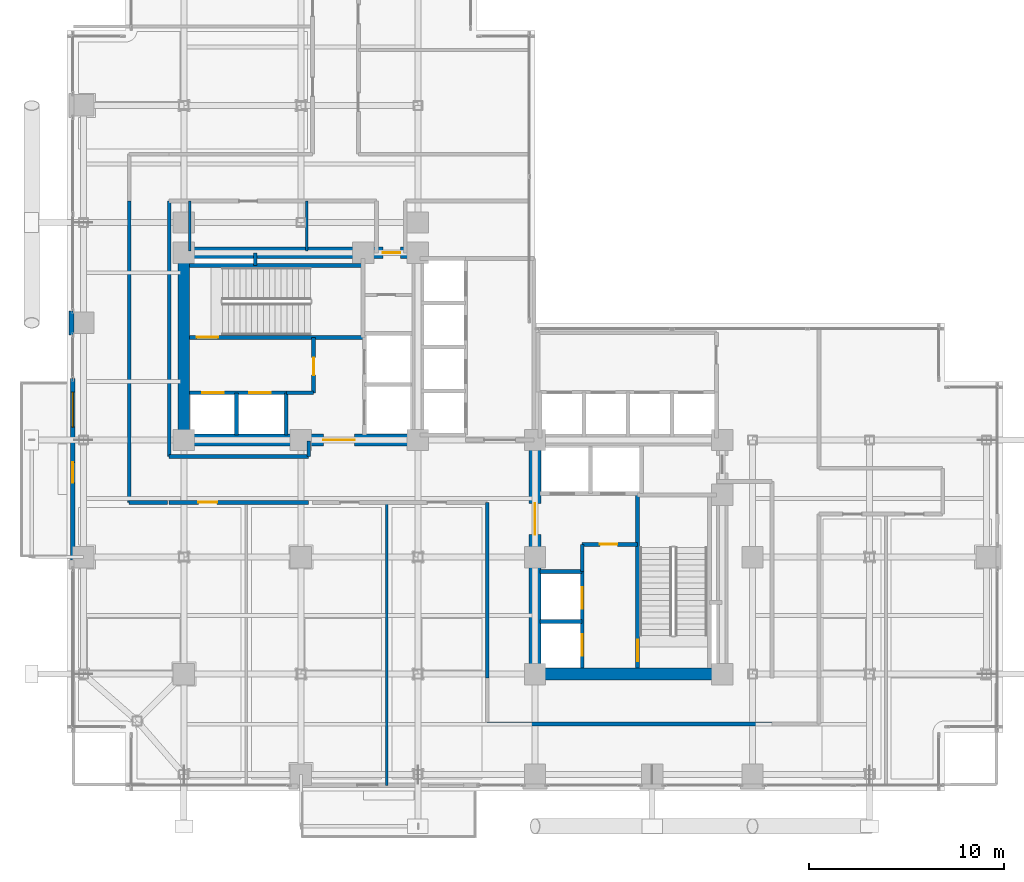
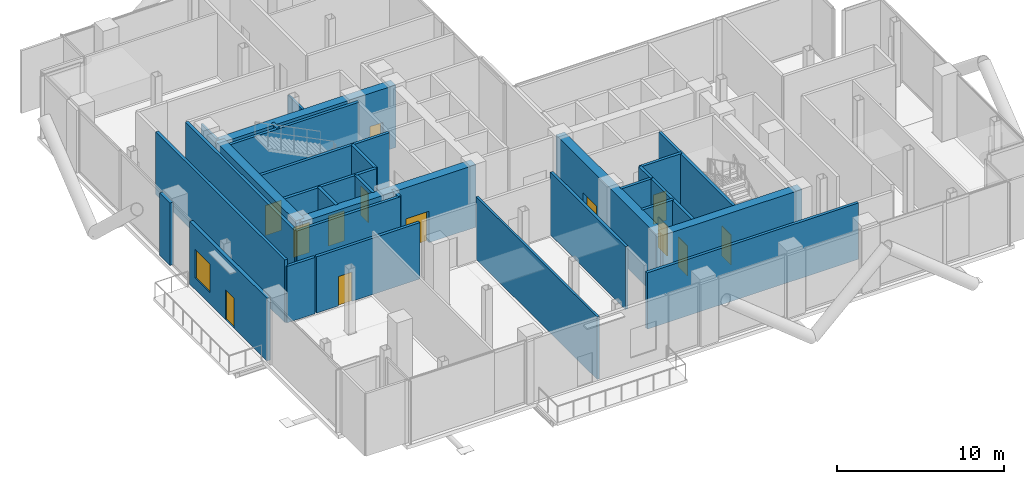
# One storey, part 18 of 25: 32 walls, 13 doors, 1 window, 14 openings.
"""IFC4 building model written with IfcOpenShell, lengths in metres."""

from ifc_helpers import new_model, si_unit, direction, frame, frame_2d, origin, place, context, subcontext, project, spatial, rectangle, extrude, material, layer, layer_set, type_object, element, fill, save


model = new_model("IFC4")

# Units and contexts
model_context = context("Model", 3, precision=1e-05, world=origin(), true_north=direction((0.0, 1.0)))
body_context = subcontext(model_context, "Body", "Model", "MODEL_VIEW")
ifc_project = project(units=[si_unit("LENGTHUNIT", "METRE"), si_unit("AREAUNIT", "SQUARE_METRE"), si_unit("VOLUMEUNIT", "CUBIC_METRE"), si_unit("PLANEANGLEUNIT", "RADIAN"), si_unit("MASSUNIT", "GRAM", prefix="KILO"), si_unit("THERMODYNAMICTEMPERATUREUNIT", "KELVIN"), si_unit("POWERUNIT", "WATT")], contexts=[model_context])

# Site, building, storey
site_placement = place(None, origin())
site = spatial("IfcSite", under=ifc_project, at=site_placement, CompositionType="ELEMENT")
building_placement = place(site_placement, origin())
building = spatial("IfcBuilding", under=site, at=building_placement, Name="Svarakhadi Broadcast Tower", CompositionType="ELEMENT")
storey_placement = place(building_placement, frame((0.0, 0.0, 110.85009765625)))
storey = spatial("IfcBuildingStorey", under=building, at=storey_placement, Name="L26", CompositionType="ELEMENT", Elevation=110.85009765625)

# Walls
ifc_material_1 = material(Name="Double-Stud Acoustic Studio Partition STC-62", Category="gypsum")
ifc_layer_1 = layer(ifc_material_1, 0.199951171875)
ifc_layer_set_1 = layer_set([ifc_layer_1], Name="Double-Stud Acoustic Studio Partition STC-62")
wall_type_1 = type_object("IfcWallType", Name="Wall_Acoust_200", PredefinedType="PARTITIONING", material=ifc_layer_set_1)
wall_1_placement = place(storey_placement, frame((36.14990234375, 3.449951171875, 0.0), z_axis=(0.0, 0.0, 1.0), x_axis=(-1.0, 0.0, 0.0)))
element("IfcWall", 1, at=wall_1_placement, inside=storey, type_object=wall_type_1, Name="L26 Broadcast Corridor Wall", PredefinedType="PARTITIONING", context=body_context, shape_type="SweptSolid", body=[
    extrude(rectangle(XDim=14.599853515625, YDim=0.199951171875, at=frame_2d((7.2998046875, 0.0))), origin(), (0.0, 0.0, 1.0), 4.116943359375),
])
wall_2_placement = place(storey_placement, frame((21.550048828125, 5.800048828125, 0.0), z_axis=(0.0, 0.0, 1.0), x_axis=(0.0, 1.0, 0.0)))
element("IfcWall", 2, at=wall_2_placement, inside=storey, type_object=wall_type_1, Name="L26 Broadcast Corridor Wall", PredefinedType="PARTITIONING", context=body_context, shape_type="SweptSolid", body=[
    extrude(rectangle(XDim=9.0, YDim=0.199951171875, at=frame_2d((4.5, 0.0))), origin(), (0.0, 0.0, 1.0), 4.574951171875),
])

# Wall, opening, door
wall_3_placement = place(storey_placement, frame((12.39990234375, 14.800048828125, 0.0), z_axis=(0.0, 0.0, 1.0), x_axis=(-1.0, 0.0, 0.0)))
wall_3 = element("IfcWall", 3, at=wall_3_placement, inside=storey, type_object=wall_type_1, Name="L26 Broadcast Corridor Wall", PredefinedType="PARTITIONING", context=body_context, shape_type="SweptSolid", body=[
    extrude(rectangle(XDim=7.14990234375, YDim=0.199951171875, at=frame_2d((3.574951171875, 0.0))), origin(), (0.0, 0.0, 1.0), 4.116943359375),
])
opening_1_placement = place(wall_3_placement, frame((4.699951171875, 0.0, 0.0)))
opening_1 = element("IfcOpeningElement", 4, at=opening_1_placement, cuts=wall_3, Name="Opening D-06", PredefinedType="OPENING", context=body_context, shape_type="SweptSolid", body=[
    extrude(rectangle(XDim=0.949951171875, YDim=2.14990234375, at=frame_2d((0.47509765625, 1.074951171875))), frame((0.0, 0.10986328125, 0.0), z_axis=(0.0, -1.0, 0.0), x_axis=(1.0, 0.0, 0.0)), (0.0, 0.0, 1.0), 0.219970703125),
])
ifc_material_2 = material(Name="Solid-Core Teak Veneer Acoustic Timber Leaf", Category="wood")
door_type_1 = type_object("IfcDoorType", Name="Door_Office_D06", OperationType="SINGLE_SWING_LEFT", PredefinedType="DOOR", material=ifc_material_2)
door_1_placement = place(opening_1_placement, origin())
door_1 = element("IfcDoor", 5, at=door_1_placement, inside=storey, type_object=door_type_1, Name="L26 L26 Sky Lobby Harbour Panorama Lounge Door", OperationType="SINGLE_SWING_LEFT", OverallHeight=2.14990234375, OverallWidth=0.949951171875, PredefinedType="DOOR", context=body_context, shape_type="SweptSolid", body=[
    extrude(rectangle(XDim=0.949951171875, YDim=2.14990234375, at=frame_2d((0.47509765625, 1.074951171875))), frame((0.0, 0.02490234375, 0.0), z_axis=(0.0, -1.0, 0.0), x_axis=(1.0, 0.0, 0.0)), (0.0, 0.0, 1.0), 0.050048828125),
])
fill(opening_1, door_1)

# Walls
wall_4_placement = place(storey_placement, frame((5.14990234375, 14.800048828125, 0.0), z_axis=(0.0, 0.0, 1.0), x_axis=(-1.0, 0.0, 0.0)))
element("IfcWall", 6, at=wall_4_placement, inside=storey, type_object=wall_type_1, Name="L26 Broadcast Corridor Wall", PredefinedType="PARTITIONING", context=body_context, shape_type="SweptSolid", body=[
    extrude(rectangle(XDim=1.949951171875, YDim=0.199951171875, at=frame_2d((0.97509765625, 0.0))), origin(), (0.0, 0.0, 1.0), 4.116943359375),
])
wall_5_placement = place(storey_placement, frame((3.199951171875, 14.800048828125, 0.0), z_axis=(0.0, 0.0, 1.0), x_axis=(0.0, 1.0, 0.0)))
element("IfcWall", 7, at=wall_5_placement, inside=storey, type_object=wall_type_1, Name="L26 Broadcast Corridor Wall", PredefinedType="PARTITIONING", context=body_context, shape_type="SweptSolid", body=[
    extrude(rectangle(XDim=15.449951171875, YDim=0.199951171875, at=frame_2d((7.72509765625, 0.0))), origin(), (0.0, 0.0, 1.0), 4.574951171875),
])
wall_6_placement = place(storey_placement, frame((5.25, 30.25, 0.0), z_axis=(0.0, 0.0, 1.0), x_axis=(0.0, -1.0, 0.0)))
element("IfcWall", 8, at=wall_6_placement, inside=storey, type_object=wall_type_1, Name="L26 Broadcast Corridor Wall", PredefinedType="PARTITIONING", context=body_context, shape_type="SweptSolid", body=[
    extrude(rectangle(XDim=13.10009765625, YDim=0.199951171875, at=frame_2d((6.550048828125, 0.0))), origin(), (0.0, 0.0, 1.0), 4.574951171875),
])
wall_7_placement = place(storey_placement, frame((5.25, 17.14990234375, 0.0), z_axis=(0.0, 0.0, 1.0), x_axis=(1.0, 0.0, 0.0)))
element("IfcWall", 9, at=wall_7_placement, inside=storey, type_object=wall_type_1, Name="L26 Broadcast Corridor Wall", PredefinedType="PARTITIONING", context=body_context, shape_type="SweptSolid", body=[
    extrude(rectangle(XDim=7.14990234375, YDim=0.199951171875, at=frame_2d((3.574951171875, 0.0))), origin(), (0.0, 0.0, 1.0), 4.574951171875),
])
wall_8_placement = place(storey_placement, frame((12.39990234375, 17.14990234375, 0.0), z_axis=(0.0, 0.0, 1.0), x_axis=(0.0, 1.0, 0.0)))
element("IfcWall", 10, at=wall_8_placement, inside=storey, type_object=wall_type_1, Name="L26 Broadcast Corridor Wall", PredefinedType="PARTITIONING", context=body_context, shape_type="SweptSolid", body=[
    extrude(rectangle(XDim=0.800048828125, YDim=0.199951171875, at=frame_2d((0.39990234375, 0.0))), origin(), (0.0, 0.0, 1.0), 4.574951171875),
])

# Wall, openings, door, window
ifc_material_3 = material(Name="Concrete C40/50 (IS 456 M50)", Category="concrete")
ifc_layer_2 = layer(ifc_material_3, 0.239990234375)
ifc_layer_set_2 = layer_set([ifc_layer_2], Name="Concrete C40/50 (IS 456 M50)")
wall_type_2 = type_object("IfcWallType", Name="Wall_Ext_240", PredefinedType="SOLIDWALL", material=ifc_layer_set_2)
wall_9_placement = place(storey_placement, frame((0.300048828125, 11.85498046875, 0.0), z_axis=(0.0, 0.0, 1.0), x_axis=(0.0, 1.0, 0.0)))
wall_9 = element("IfcWall", 11, at=wall_9_placement, inside=storey, type_object=wall_type_2, Name="L26 West Tree Balcony Spandrel Wall", PredefinedType="SOLIDWALL", context=body_context, shape_type="SweptSolid", body=[
    extrude(rectangle(XDim=9.2900390625, YDim=0.239990234375, at=frame_2d((4.64501953125, 0.0))), origin(), (0.0, 0.0, 1.0), 4.574951171875),
])
opening_2_placement = place(wall_9_placement, frame((3.945068359375, 0.0, 0.0)))
opening_2 = element("IfcOpeningElement", 12, at=opening_2_placement, cuts=wall_9, Name="Opening ED-05", PredefinedType="OPENING", context=body_context, shape_type="SweptSolid", body=[
    extrude(rectangle(XDim=1.050048828125, YDim=2.199951171875, at=frame_2d((0.52490234375, 1.10009765625))), frame((0.0, 0.1298828125, 0.0), z_axis=(0.0, -1.0, 0.0), x_axis=(1.0, 0.0, 0.0)), (0.0, 0.0, 1.0), 0.260009765625),
])
opening_3_placement = place(wall_9_placement, frame((6.800048828125, 0.0, 0.85009765625)))
opening_3 = element("IfcOpeningElement", 13, at=opening_3_placement, cuts=wall_9, Name="Opening WN-02", PredefinedType="OPENING", context=body_context, shape_type="SweptSolid", body=[
    extrude(rectangle(XDim=1.800048828125, YDim=2.10009765625, at=frame_2d((0.89990234375, 1.050048828125))), frame((0.0, 0.1298828125, 0.0), z_axis=(0.0, -1.0, 0.0), x_axis=(1.0, 0.0, 0.0)), (0.0, 0.0, 1.0), 0.260009765625),
])
ifc_material_4 = material(Name="Anodised Bronze Aluminium AA 6063-T6", Category="aluminium")
door_type_2 = type_object("IfcDoorType", Name="Door_Ext_ED05", OperationType="SINGLE_SWING_LEFT", PredefinedType="DOOR", material=ifc_material_4)
door_2_placement = place(opening_2_placement, origin())
door_2 = element("IfcDoor", 14, at=door_2_placement, inside=storey, type_object=door_type_2, Name="L26 West Tree Balcony Door", OperationType="SINGLE_SWING_LEFT", OverallHeight=2.199951171875, OverallWidth=1.050048828125, PredefinedType="DOOR", context=body_context, shape_type="SweptSolid", body=[
    extrude(rectangle(XDim=1.050048828125, YDim=2.199951171875, at=frame_2d((0.52490234375, 1.10009765625))), frame((0.0, 0.02490234375, 0.0), z_axis=(0.0, -1.0, 0.0), x_axis=(1.0, 0.0, 0.0)), (0.0, 0.0, 1.0), 0.050048828125),
])
fill(opening_2, door_2)
ifc_material_5 = material(Name="Double Low-E Laminated Acoustic Glass IGU 36 mm", Category="glass")
window_type = type_object("IfcWindowType", Name="Win_Fixed_WN02", PartitioningType="SINGLE_PANEL", PredefinedType="WINDOW", material=ifc_material_5)
window_placement = place(opening_3_placement, origin())
window = element("IfcWindow", 15, at=window_placement, inside=storey, type_object=window_type, Name="L26 West Tree Balcony Window", OverallHeight=2.10009765625, OverallWidth=1.800048828125, PartitioningType="SINGLE_PANEL", PredefinedType="WINDOW", context=body_context, shape_type="SweptSolid", body=[
    extrude(rectangle(XDim=1.800048828125, YDim=2.10009765625, at=frame_2d((0.89990234375, 1.050048828125))), frame((0.0, 0.030029296875, 0.0), z_axis=(0.0, -1.0, 0.0), x_axis=(1.0, 0.0, 0.0)), (0.0, 0.0, 1.0), 0.06005859375),
])
fill(opening_3, window)

# Walls
wall_10_placement = place(storey_placement, frame((0.239990234375, 23.385009765625, 0.0), z_axis=(0.0, 0.0, 1.0), x_axis=(0.0, 1.0, 0.0)))
element("IfcWall", 16, at=wall_10_placement, inside=storey, type_object=wall_type_2, Name="L26 Perimeter Bronze Spandrel Closure Wall 02", PredefinedType="SOLIDWALL", context=body_context, shape_type="SweptSolid", body=[
    extrude(rectangle(XDim=1.22998046875, YDim=0.239990234375, at=frame_2d((0.614990234375, 0.0))), origin(), (0.0, 0.0, 1.0), 4.574951171875),
])
ifc_layer_3 = layer(ifc_material_3, 0.199951171875)
ifc_layer_set_3 = layer_set([ifc_layer_3], Name="Concrete C40/50 (IS 456 M50)")
wall_type_3 = type_object("IfcWallType", Name="Wall_Fire_200", PredefinedType="SOLIDWALL", material=ifc_layer_set_3)
wall_11_placement = place(storey_placement, frame((9.659912109375, 26.93994140625, 0.0), z_axis=(0.0, 0.0, 1.0), x_axis=(0.0, 1.0, 0.0)))
element("IfcWall", 17, at=wall_11_placement, inside=storey, type_object=wall_type_3, Name="L26 Wet Riser Shaft East Wall", PredefinedType="SOLIDWALL", context=body_context, shape_type="SweptSolid", body=[
    extrude(rectangle(XDim=0.64013671875, YDim=0.199951171875, at=frame_2d((0.320068359375, 0.0))), origin(), (0.0, 0.0, 1.0), 4.574951171875),
])
ifc_material_6 = material(Name="Autoclaved Aerated Concrete Blockwork 150 mm", Category="masonry")
ifc_layer_4 = layer(ifc_material_6, 0.14990234375)
ifc_layer_set_4 = layer_set([ifc_layer_4], Name="Autoclaved Aerated Concrete Blockwork 150 mm")
wall_type_4 = type_object("IfcWallType", Name="Wall_Part_150", PredefinedType="PARTITIONING", material=ifc_layer_set_4)
for number, where, z_axis, x_axis, name in (
    (18, (6.300048828125, 27.679931640625, 0.0), (0.0, 0.0, 1.0), (0.0, 1.0, 0.0), "L26 Accessible Toilet WC Wall"),
    (19, (12.300048828125, 27.679931640625, 0.0), (0.0, 0.0, 1.0), (0.0, 1.0, 0.0), "L26 Accessible Toilet WC Wall"),
):
    element("IfcWall", number, at=place(storey_placement, frame(where, z_axis=z_axis, x_axis=x_axis)), inside=storey, type_object=wall_type_4, Name=name, PredefinedType="PARTITIONING", context=body_context, shape_type="SweptSolid", body=[
        extrude(rectangle(XDim=2.570068359375, YDim=0.14990234375, at=frame_2d((1.28515625, 0.0))), origin(), (0.0, 0.0, 1.0), 4.06689453125),
    ])
wall_12_placement = place(storey_placement, frame((16.39990234375, 0.300048828125, 0.0), z_axis=(0.0, 0.0, 1.0), x_axis=(0.0, 1.0, 0.0)))
element("IfcWall", 20, at=wall_12_placement, inside=storey, type_object=wall_type_4, Name="L26 L26 Sky-Bridge Espresso and Dining Bar Wall", PredefinedType="PARTITIONING", context=body_context, shape_type="SweptSolid", body=[
    extrude(rectangle(XDim=14.5, YDim=0.14990234375, at=frame_2d((7.25, 0.0))), origin(), (0.0, 0.0, 1.0), 4.574951171875),
])

# Wall, opening, door
ifc_material_7 = material(Name="Concrete C50/60 (IS 456 M60)", Category="concrete")
ifc_layer_5 = layer(ifc_material_7, 0.199951171875)
ifc_layer_set_5 = layer_set([ifc_layer_5], Name="Concrete C50/60 (IS 456 M60)")
wall_type_5 = type_object("IfcWallType", Name="Wall_Shear_200", PredefinedType="SHEAR", material=ifc_layer_set_5)
wall_13_placement = place(storey_placement, frame((6.300048828125, 23.260009765625, 0.0), z_axis=(0.0, 0.0, 1.0), x_axis=(1.0, 0.0, 0.0)))
wall_13 = element("IfcWall", 21, at=wall_13_placement, inside=storey, type_object=wall_type_5, Name="L26 Stair ST-01 South RC Shaft Wall", PredefinedType="SHEAR", context=body_context, shape_type="SweptSolid", body=[
    extrude(rectangle(XDim=8.8798828125, YDim=0.199951171875, at=frame_2d((4.43994140625, 0.0))), origin(), (0.0, 0.0, 1.0), 4.574951171875),
])
opening_4_placement = place(wall_13_placement, frame((0.35009765625, 0.0, 0.0)))
opening_4 = element("IfcOpeningElement", 22, at=opening_4_placement, cuts=wall_13, Name="Opening D-01", PredefinedType="OPENING", context=body_context, shape_type="SweptSolid", body=[
    extrude(rectangle(XDim=1.10009765625, YDim=2.199951171875, at=frame_2d((0.550048828125, 1.10009765625))), frame((0.0, 0.10986328125, 0.0), z_axis=(0.0, -1.0, 0.0), x_axis=(1.0, 0.0, 0.0)), (0.0, 0.0, 1.0), 0.219970703125),
])
ifc_material_8 = material(Name="Galvanised Powder-Coated Fire-Rated Steel Leaf", Category="steel")
door_type_3 = type_object("IfcDoorType", Name="Door_Stair_D01", OperationType="SINGLE_SWING_LEFT", PredefinedType="DOOR", material=ifc_material_8)
door_3_placement = place(opening_4_placement, origin())
door_3 = element("IfcDoor", 23, at=door_3_placement, inside=storey, type_object=door_type_3, Name="L26 Protected Exit Stair ST-01 Fire Door", OperationType="SINGLE_SWING_LEFT", OverallHeight=2.199951171875, OverallWidth=1.10009765625, PredefinedType="DOOR", context=body_context, shape_type="SweptSolid", body=[
    extrude(rectangle(XDim=1.10009765625, YDim=2.199951171875, at=frame_2d((0.550048828125, 1.10009765625))), frame((0.0, 0.02490234375, 0.0), z_axis=(0.0, -1.0, 0.0), x_axis=(1.0, 0.0, 0.0)), (0.0, 0.0, 1.0), 0.050048828125),
])
fill(opening_4, door_3)

# Wall
wall_14_placement = place(storey_placement, frame((6.300048828125, 26.93994140625, 0.0), z_axis=(0.0, 0.0, 1.0), x_axis=(1.0, 0.0, 0.0)))
element("IfcWall", 24, at=wall_14_placement, inside=storey, type_object=wall_type_5, Name="L26 Stair ST-01 North RC Shaft Wall", PredefinedType="SHEAR", context=body_context, shape_type="SweptSolid", body=[
    extrude(rectangle(XDim=8.8798828125, YDim=0.199951171875, at=frame_2d((4.43994140625, 0.0))), origin(), (0.0, 0.0, 1.0), 4.574951171875),
])

# Wall, opening, door
wall_15_placement = place(storey_placement, frame((29.260009765625, 6.300048828125, 0.0), z_axis=(0.0, 0.0, 1.0), x_axis=(0.0, 1.0, 0.0)))
wall_15 = element("IfcWall", 25, at=wall_15_placement, inside=storey, type_object=wall_type_5, Name="L26 Stair ST-02 West RC Shaft Wall", PredefinedType="SHEAR", context=body_context, shape_type="SweptSolid", body=[
    extrude(rectangle(XDim=8.8798828125, YDim=0.199951171875, at=frame_2d((4.43994140625, 0.0))), origin(), (0.0, 0.0, 1.0), 4.574951171875),
])
opening_5_placement = place(wall_15_placement, frame((0.35009765625, 0.0, 0.0)))
opening_5 = element("IfcOpeningElement", 26, at=opening_5_placement, cuts=wall_15, Name="Opening D-02", PredefinedType="OPENING", context=body_context, shape_type="SweptSolid", body=[
    extrude(rectangle(XDim=1.10009765625, YDim=2.199951171875, at=frame_2d((0.550048828125, 1.10009765625))), frame((0.0, 0.10986328125, 0.0), z_axis=(0.0, -1.0, 0.0), x_axis=(1.0, 0.0, 0.0)), (0.0, 0.0, 1.0), 0.219970703125),
])
door_type_4 = type_object("IfcDoorType", Name="Door_Stair_D02", OperationType="SINGLE_SWING_RIGHT", PredefinedType="DOOR", material=ifc_material_8)
door_4_placement = place(opening_5_placement, origin())
door_4 = element("IfcDoor", 27, at=door_4_placement, inside=storey, type_object=door_type_4, Name="L26 Protected Exit Stair ST-02 Fire Door", OperationType="SINGLE_SWING_RIGHT", OverallHeight=2.199951171875, OverallWidth=1.10009765625, PredefinedType="DOOR", context=body_context, shape_type="SweptSolid", body=[
    extrude(rectangle(XDim=1.10009765625, YDim=2.199951171875, at=frame_2d((0.550048828125, 1.10009765625))), frame((0.0, 0.02490234375, 0.0), z_axis=(0.0, -1.0, 0.0), x_axis=(1.0, 0.0, 0.0)), (0.0, 0.0, 1.0), 0.050048828125),
])
fill(opening_5, door_4)

# Wall, openings, doors
wall_16_placement = place(storey_placement, frame((6.300048828125, 20.419921875, 0.0), z_axis=(0.0, 0.0, 1.0), x_axis=(1.0, 0.0, 0.0)))
wall_16 = element("IfcWall", 28, at=wall_16_placement, inside=storey, type_object=wall_type_5, Name="L26 Firefighting Lift LF-01/02 Shaft Wall", PredefinedType="SHEAR", context=body_context, shape_type="SweptSolid", body=[
    extrude(rectangle(XDim=4.949951171875, YDim=0.199951171875, at=frame_2d((2.47509765625, 0.0))), origin(), (0.0, 0.0, 1.0), 4.574951171875),
])
opening_6_placement = place(wall_16_placement, frame((0.64990234375, 0.0, 0.0)))
opening_6 = element("IfcOpeningElement", 29, at=opening_6_placement, cuts=wall_16, Name="Opening LD-01", PredefinedType="OPENING", context=body_context, shape_type="SweptSolid", body=[
    extrude(rectangle(XDim=1.10009765625, YDim=2.199951171875, at=frame_2d((0.550048828125, 1.10009765625))), frame((0.0, 0.10986328125, 0.0), z_axis=(0.0, -1.0, 0.0), x_axis=(1.0, 0.0, 0.0)), (0.0, 0.0, 1.0), 0.219970703125),
])
opening_7_placement = place(wall_16_placement, frame((3.050048828125, 0.0, 0.0)))
opening_7 = element("IfcOpeningElement", 30, at=opening_7_placement, cuts=wall_16, Name="Opening LD-01", PredefinedType="OPENING", context=body_context, shape_type="SweptSolid", body=[
    extrude(rectangle(XDim=1.10009765625, YDim=2.199951171875, at=frame_2d((0.550048828125, 1.10009765625))), frame((0.0, 0.10986328125, 0.0), z_axis=(0.0, -1.0, 0.0), x_axis=(1.0, 0.0, 0.0)), (0.0, 0.0, 1.0), 0.219970703125),
])
door_type_5 = type_object("IfcDoorType", Name="Door_Lift_LD01", OperationType="SLIDING_TO_LEFT", PredefinedType="DOOR", material=ifc_material_8)
door_5_placement = place(opening_6_placement, origin())
door_5 = element("IfcDoor", 31, at=door_5_placement, inside=storey, type_object=door_type_5, Name="L26 Firefighting Lift LF-01 Landing Door", OperationType="SLIDING_TO_LEFT", OverallHeight=2.199951171875, OverallWidth=1.10009765625, PredefinedType="DOOR", context=body_context, shape_type="SweptSolid", body=[
    extrude(rectangle(XDim=1.10009765625, YDim=2.199951171875, at=frame_2d((0.550048828125, 1.10009765625))), frame((0.0, 0.02490234375, 0.0), z_axis=(0.0, -1.0, 0.0), x_axis=(1.0, 0.0, 0.0)), (0.0, 0.0, 1.0), 0.050048828125),
])
fill(opening_6, door_5)
door_6_placement = place(opening_7_placement, origin())
door_6 = element("IfcDoor", 32, at=door_6_placement, inside=storey, type_object=door_type_5, Name="L26 Firefighting Lift LF-02 Landing Door", OperationType="SLIDING_TO_LEFT", OverallHeight=2.199951171875, OverallWidth=1.10009765625, PredefinedType="DOOR", context=body_context, shape_type="SweptSolid", body=[
    extrude(rectangle(XDim=1.10009765625, YDim=2.199951171875, at=frame_2d((0.550048828125, 1.10009765625))), frame((0.0, 0.02490234375, 0.0), z_axis=(0.0, -1.0, 0.0), x_axis=(1.0, 0.0, 0.0)), (0.0, 0.0, 1.0), 0.050048828125),
])
fill(opening_7, door_6)

# Walls
for number, where, z_axis, x_axis, name in (
    (33, (8.699951171875, 18.25, 0.0), (0.0, 0.0, 1.0), (0.0, 1.0, 0.0), "L26 Firefighting Lift LF-01/02 Divider Wall"),
    (34, (11.25, 18.25, 0.0), (0.0, 0.0, 1.0), (0.0, 1.0, 0.0), "L26 Firefighting Lift LF-02 East Wall"),
):
    element("IfcWall", number, at=place(storey_placement, frame(where, z_axis=z_axis, x_axis=x_axis)), inside=storey, type_object=wall_type_5, Name=name, PredefinedType="SHEAR", context=body_context, shape_type="SweptSolid", body=[
        extrude(rectangle(XDim=2.169921875, YDim=0.199951171875, at=frame_2d((1.0849609375, 0.0))), origin(), (0.0, 0.0, 1.0), 4.574951171875),
    ])
wall_17_placement = place(storey_placement, frame((11.25, 20.419921875, 0.0), z_axis=(0.0, 0.0, 1.0), x_axis=(1.0, 0.0, 0.0)))
element("IfcWall", 35, at=wall_17_placement, inside=storey, type_object=wall_type_5, Name="L26 West Firefighting Lobby South Wall", PredefinedType="SHEAR", context=body_context, shape_type="SweptSolid", body=[
    extrude(rectangle(XDim=1.39990234375, YDim=0.199951171875, at=frame_2d((0.699951171875, 0.0))), origin(), (0.0, 0.0, 1.0), 4.574951171875),
])

# Wall, opening, door
wall_18_placement = place(storey_placement, frame((12.64990234375, 20.419921875, 0.0), z_axis=(0.0, 0.0, 1.0), x_axis=(0.0, 1.0, 0.0)))
wall_18 = element("IfcWall", 36, at=wall_18_placement, inside=storey, type_object=wall_type_5, Name="L26 West Firefighting Lobby East Wall", PredefinedType="SHEAR", context=body_context, shape_type="SweptSolid", body=[
    extrude(rectangle(XDim=2.840087890625, YDim=0.199951171875, at=frame_2d((1.419921875, 0.0))), origin(), (0.0, 0.0, 1.0), 4.574951171875),
])
opening_8_placement = place(wall_18_placement, frame((0.89990234375, 0.0, 0.0)))
opening_8 = element("IfcOpeningElement", 37, at=opening_8_placement, cuts=wall_18, Name="Opening D-04", PredefinedType="OPENING", context=body_context, shape_type="SweptSolid", body=[
    extrude(rectangle(XDim=0.89990234375, YDim=2.14990234375, at=frame_2d((0.449951171875, 1.074951171875))), frame((0.0, 0.10986328125, 0.0), z_axis=(0.0, -1.0, 0.0), x_axis=(1.0, 0.0, 0.0)), (0.0, 0.0, 1.0), 0.219970703125),
])
door_type_6 = type_object("IfcDoorType", Name="Door_Fire_D04", OperationType="SINGLE_SWING_RIGHT", PredefinedType="DOOR", material=ifc_material_8)
door_7_placement = place(opening_8_placement, origin())
door_7 = element("IfcDoor", 38, at=door_7_placement, inside=storey, type_object=door_type_6, Name="L26 West Firefighting Lobby Fire Door", OperationType="SINGLE_SWING_RIGHT", OverallHeight=2.14990234375, OverallWidth=0.89990234375, PredefinedType="DOOR", context=body_context, shape_type="SweptSolid", body=[
    extrude(rectangle(XDim=0.89990234375, YDim=2.14990234375, at=frame_2d((0.449951171875, 1.074951171875))), frame((0.0, 0.02490234375, 0.0), z_axis=(0.0, -1.0, 0.0), x_axis=(1.0, 0.0, 0.0)), (0.0, 0.0, 1.0), 0.050048828125),
])
fill(opening_8, door_7)

# Wall, openings, doors
wall_19_placement = place(storey_placement, frame((26.419921875, 6.300048828125, 0.0), z_axis=(0.0, 0.0, 1.0), x_axis=(0.0, 1.0, 0.0)))
wall_19 = element("IfcWall", 39, at=wall_19_placement, inside=storey, type_object=wall_type_5, Name="L26 Firefighting Lift LF-03/04 Shaft Wall", PredefinedType="SHEAR", context=body_context, shape_type="SweptSolid", body=[
    extrude(rectangle(XDim=4.949951171875, YDim=0.199951171875, at=frame_2d((2.47509765625, 0.0))), origin(), (0.0, 0.0, 1.0), 4.574951171875),
])
opening_9_placement = place(wall_19_placement, frame((0.64990234375, 0.0, 0.0)))
opening_9 = element("IfcOpeningElement", 40, at=opening_9_placement, cuts=wall_19, Name="Opening LD-01", PredefinedType="OPENING", context=body_context, shape_type="SweptSolid", body=[
    extrude(rectangle(XDim=1.10009765625, YDim=2.199951171875, at=frame_2d((0.550048828125, 1.10009765625))), frame((0.0, 0.10986328125, 0.0), z_axis=(0.0, -1.0, 0.0), x_axis=(1.0, 0.0, 0.0)), (0.0, 0.0, 1.0), 0.219970703125),
])
opening_10_placement = place(wall_19_placement, frame((3.050048828125, 0.0, 0.0)))
opening_10 = element("IfcOpeningElement", 41, at=opening_10_placement, cuts=wall_19, Name="Opening LD-01", PredefinedType="OPENING", context=body_context, shape_type="SweptSolid", body=[
    extrude(rectangle(XDim=1.10009765625, YDim=2.199951171875, at=frame_2d((0.550048828125, 1.10009765625))), frame((0.0, 0.10986328125, 0.0), z_axis=(0.0, -1.0, 0.0), x_axis=(1.0, 0.0, 0.0)), (0.0, 0.0, 1.0), 0.219970703125),
])
door_8_placement = place(opening_9_placement, origin())
door_8 = element("IfcDoor", 42, at=door_8_placement, inside=storey, type_object=door_type_5, Name="L26 Firefighting Lift LF-03 Landing Door", OperationType="SLIDING_TO_LEFT", OverallHeight=2.199951171875, OverallWidth=1.10009765625, PredefinedType="DOOR", context=body_context, shape_type="SweptSolid", body=[
    extrude(rectangle(XDim=1.10009765625, YDim=2.199951171875, at=frame_2d((0.550048828125, 1.10009765625))), frame((0.0, 0.02490234375, 0.0), z_axis=(0.0, -1.0, 0.0), x_axis=(1.0, 0.0, 0.0)), (0.0, 0.0, 1.0), 0.050048828125),
])
fill(opening_9, door_8)
door_9_placement = place(opening_10_placement, origin())
door_9 = element("IfcDoor", 43, at=door_9_placement, inside=storey, type_object=door_type_5, Name="L26 Firefighting Lift LF-04 Landing Door", OperationType="SLIDING_TO_LEFT", OverallHeight=2.199951171875, OverallWidth=1.10009765625, PredefinedType="DOOR", context=body_context, shape_type="SweptSolid", body=[
    extrude(rectangle(XDim=1.10009765625, YDim=2.199951171875, at=frame_2d((0.550048828125, 1.10009765625))), frame((0.0, 0.02490234375, 0.0), z_axis=(0.0, -1.0, 0.0), x_axis=(1.0, 0.0, 0.0)), (0.0, 0.0, 1.0), 0.050048828125),
])
fill(opening_10, door_9)

# Walls
for number, where, z_axis, x_axis, name in (
    (44, (24.25, 8.699951171875, 0.0), (0.0, 0.0, 1.0), (1.0, 0.0, 0.0), "L26 Firefighting Lift LF-03/04 Divider Wall"),
    (45, (24.25, 11.25, 0.0), (0.0, 0.0, 1.0), (1.0, 0.0, 0.0), "L26 Firefighting Lift LF-04 North Wall"),
):
    element("IfcWall", number, at=place(storey_placement, frame(where, z_axis=z_axis, x_axis=x_axis)), inside=storey, type_object=wall_type_5, Name=name, PredefinedType="SHEAR", context=body_context, shape_type="SweptSolid", body=[
        extrude(rectangle(XDim=2.169921875, YDim=0.199951171875, at=frame_2d((1.0849609375, 0.0))), origin(), (0.0, 0.0, 1.0), 4.574951171875),
    ])
wall_20_placement = place(storey_placement, frame((26.419921875, 11.25, 0.0), z_axis=(0.0, 0.0, 1.0), x_axis=(0.0, 1.0, 0.0)))
element("IfcWall", 46, at=wall_20_placement, inside=storey, type_object=wall_type_5, Name="L26 East Firefighting Lobby West Wall", PredefinedType="SHEAR", context=body_context, shape_type="SweptSolid", body=[
    extrude(rectangle(XDim=1.39990234375, YDim=0.199951171875, at=frame_2d((0.699951171875, 0.0))), origin(), (0.0, 0.0, 1.0), 4.574951171875),
])

# Wall, opening, door
wall_21_placement = place(storey_placement, frame((26.419921875, 12.64990234375, 0.0), z_axis=(0.0, 0.0, 1.0), x_axis=(1.0, 0.0, 0.0)))
wall_21 = element("IfcWall", 47, at=wall_21_placement, inside=storey, type_object=wall_type_5, Name="L26 East Firefighting Lobby North Wall", PredefinedType="SHEAR", context=body_context, shape_type="SweptSolid", body=[
    extrude(rectangle(XDim=2.840087890625, YDim=0.199951171875, at=frame_2d((1.419921875, 0.0))), origin(), (0.0, 0.0, 1.0), 4.574951171875),
])
opening_11_placement = place(wall_21_placement, frame((0.89990234375, 0.0, 0.0)))
opening_11 = element("IfcOpeningElement", 48, at=opening_11_placement, cuts=wall_21, Name="Opening D-03", PredefinedType="OPENING", context=body_context, shape_type="SweptSolid", body=[
    extrude(rectangle(XDim=0.89990234375, YDim=2.14990234375, at=frame_2d((0.449951171875, 1.074951171875))), frame((0.0, 0.10986328125, 0.0), z_axis=(0.0, -1.0, 0.0), x_axis=(1.0, 0.0, 0.0)), (0.0, 0.0, 1.0), 0.219970703125),
])
door_type_7 = type_object("IfcDoorType", Name="Door_Fire_D03", OperationType="SINGLE_SWING_LEFT", PredefinedType="DOOR", material=ifc_material_8)
door_10_placement = place(opening_11_placement, origin())
door_10 = element("IfcDoor", 49, at=door_10_placement, inside=storey, type_object=door_type_7, Name="L26 East Firefighting Lobby Fire Door", OperationType="SINGLE_SWING_LEFT", OverallHeight=2.14990234375, OverallWidth=0.89990234375, PredefinedType="DOOR", context=body_context, shape_type="SweptSolid", body=[
    extrude(rectangle(XDim=0.89990234375, YDim=2.14990234375, at=frame_2d((0.449951171875, 1.074951171875))), frame((0.0, 0.02490234375, 0.0), z_axis=(0.0, -1.0, 0.0), x_axis=(1.0, 0.0, 0.0)), (0.0, 0.0, 1.0), 0.050048828125),
])
fill(opening_11, door_10)

ifc_material_9 = material(Name="Concrete C60/75 (IS 456 M70)", Category="concrete")
ifc_layer_6 = layer(ifc_material_9, 0.60009765625)
ifc_layer_set_6 = layer_set([ifc_layer_6], Name="Concrete C60/75 (IS 456 M70)")
wall_type_6 = type_object("IfcWallType", Name="Wall_Shear_600", PredefinedType="SHEAR", material=ifc_layer_set_6)
wall_22_placement = place(storey_placement, frame((6.0, 18.0, 0.0), z_axis=(0.0, 0.0, 1.0), x_axis=(1.0, 0.0, 0.0)))
wall_22 = element("IfcWall", 50, at=wall_22_placement, inside=storey, type_object=wall_type_6, Name="L26 West Core South Shear Wall", PredefinedType="SHEAR", context=body_context, shape_type="SweptSolid", body=[
    extrude(rectangle(XDim=12.0, YDim=0.60009765625, at=frame_2d((6.0, 0.0))), origin(), (0.0, 0.0, 1.0), 4.574951171875),
])
opening_12_placement = place(wall_22_placement, frame((7.14990234375, 0.0, 0.0)))
opening_12 = element("IfcOpeningElement", 51, at=opening_12_placement, cuts=wall_22, Name="Opening D-05", PredefinedType="OPENING", context=body_context, shape_type="SweptSolid", body=[
    extrude(rectangle(XDim=1.60009765625, YDim=2.300048828125, at=frame_2d((0.800048828125, 1.14990234375))), frame((0.0, 0.31005859375, 0.0), z_axis=(0.0, -1.0, 0.0), x_axis=(1.0, 0.0, 0.0)), (0.0, 0.0, 1.0), 0.6201171875),
])
door_type_8 = type_object("IfcDoorType", Name="Door_Lobby_D05", OperationType="DOUBLE_DOOR_SLIDING", PredefinedType="DOOR", material=ifc_material_4)
door_11_placement = place(opening_12_placement, origin())
door_11 = element("IfcDoor", 52, at=door_11_placement, inside=storey, type_object=door_type_8, Name="L26 West Core Passenger Lift Lobby Entrance Door", OperationType="DOUBLE_DOOR_SLIDING", OverallHeight=2.300048828125, OverallWidth=1.60009765625, PredefinedType="DOOR", context=body_context, shape_type="SweptSolid", body=[
    extrude(rectangle(XDim=1.60009765625, YDim=2.300048828125, at=frame_2d((0.800048828125, 1.14990234375))), frame((0.0, 0.02490234375, 0.0), z_axis=(0.0, -1.0, 0.0), x_axis=(1.0, 0.0, 0.0)), (0.0, 0.0, 1.0), 0.050048828125),
])
fill(opening_12, door_11)

wall_23_placement = place(storey_placement, frame((6.0, 27.60009765625, 0.0), z_axis=(0.0, 0.0, 1.0), x_axis=(1.0, 0.0, 0.0)))
wall_23 = element("IfcWall", 53, at=wall_23_placement, inside=storey, type_object=wall_type_6, Name="L26 West Core North Shear Wall", PredefinedType="SHEAR", context=body_context, shape_type="SweptSolid", body=[
    extrude(rectangle(XDim=12.0, YDim=0.60009765625, at=frame_2d((6.0, 0.0))), origin(), (0.0, 0.0, 1.0), 4.574951171875),
])
opening_13_placement = place(wall_23_placement, frame((10.199951171875, 0.0, 0.0)))
opening_13 = element("IfcOpeningElement", 54, at=opening_13_placement, cuts=wall_23, Name="Opening D-03", PredefinedType="OPENING", context=body_context, shape_type="SweptSolid", body=[
    extrude(rectangle(XDim=0.89990234375, YDim=2.14990234375, at=frame_2d((0.449951171875, 1.074951171875))), frame((0.0, 0.31005859375, 0.0), z_axis=(0.0, -1.0, 0.0), x_axis=(1.0, 0.0, 0.0)), (0.0, 0.0, 1.0), 0.6201171875),
])
door_12_placement = place(opening_13_placement, origin())
door_12 = element("IfcDoor", 55, at=door_12_placement, inside=storey, type_object=door_type_7, Name="L26 West Core Outer Store Door", OperationType="SINGLE_SWING_LEFT", OverallHeight=2.14990234375, OverallWidth=0.89990234375, PredefinedType="DOOR", context=body_context, shape_type="SweptSolid", body=[
    extrude(rectangle(XDim=0.89990234375, YDim=2.14990234375, at=frame_2d((0.449951171875, 1.074951171875))), frame((0.0, 0.02490234375, 0.0), z_axis=(0.0, -1.0, 0.0), x_axis=(1.0, 0.0, 0.0)), (0.0, 0.0, 1.0), 0.050048828125),
])
fill(opening_13, door_12)

# Walls
for number, where, z_axis, x_axis, name in (
    (56, (6.0, 18.0, 0.0), (0.0, 0.0, 1.0), (0.0, 1.0, 0.0), "L26 West Core West Shear Wall"),
    (57, (24.0, 6.0, 0.0), (0.0, 0.0, 1.0), (1.0, 0.0, 0.0), "L26 East Core South Shear Wall"),
):
    element("IfcWall", number, at=place(storey_placement, frame(where, z_axis=z_axis, x_axis=x_axis)), inside=storey, type_object=wall_type_6, Name=name, PredefinedType="SHEAR", context=body_context, shape_type="SweptSolid", body=[
        extrude(rectangle(XDim=9.60009765625, YDim=0.60009765625, at=frame_2d((4.800048828125, 0.0))), origin(), (0.0, 0.0, 1.0), 4.574951171875),
    ])

# Wall, opening, door
wall_24_placement = place(storey_placement, frame((24.0, 6.0, 0.0), z_axis=(0.0, 0.0, 1.0), x_axis=(0.0, 1.0, 0.0)))
wall_24 = element("IfcWall", 58, at=wall_24_placement, inside=storey, type_object=wall_type_6, Name="L26 East Core West Shear Wall", PredefinedType="SHEAR", context=body_context, shape_type="SweptSolid", body=[
    extrude(rectangle(XDim=12.0, YDim=0.60009765625, at=frame_2d((6.0, 0.0))), origin(), (0.0, 0.0, 1.0), 4.574951171875),
])
opening_14_placement = place(wall_24_placement, frame((7.14990234375, 0.0, 0.0)))
opening_14 = element("IfcOpeningElement", 59, at=opening_14_placement, cuts=wall_24, Name="Opening D-05", PredefinedType="OPENING", context=body_context, shape_type="SweptSolid", body=[
    extrude(rectangle(XDim=1.60009765625, YDim=2.300048828125, at=frame_2d((0.800048828125, 1.14990234375))), frame((0.0, 0.31005859375, 0.0), z_axis=(0.0, -1.0, 0.0), x_axis=(1.0, 0.0, 0.0)), (0.0, 0.0, 1.0), 0.6201171875),
])
door_13_placement = place(opening_14_placement, origin())
door_13 = element("IfcDoor", 60, at=door_13_placement, inside=storey, type_object=door_type_8, Name="L26 East Core Passenger Lift Lobby Entrance Door", OperationType="DOUBLE_DOOR_SLIDING", OverallHeight=2.300048828125, OverallWidth=1.60009765625, PredefinedType="DOOR", context=body_context, shape_type="SweptSolid", body=[
    extrude(rectangle(XDim=1.60009765625, YDim=2.300048828125, at=frame_2d((0.800048828125, 1.14990234375))), frame((0.0, 0.02490234375, 0.0), z_axis=(0.0, -1.0, 0.0), x_axis=(1.0, 0.0, 0.0)), (0.0, 0.0, 1.0), 0.050048828125),
])
fill(opening_14, door_13)

save(model, "model.ifc")
